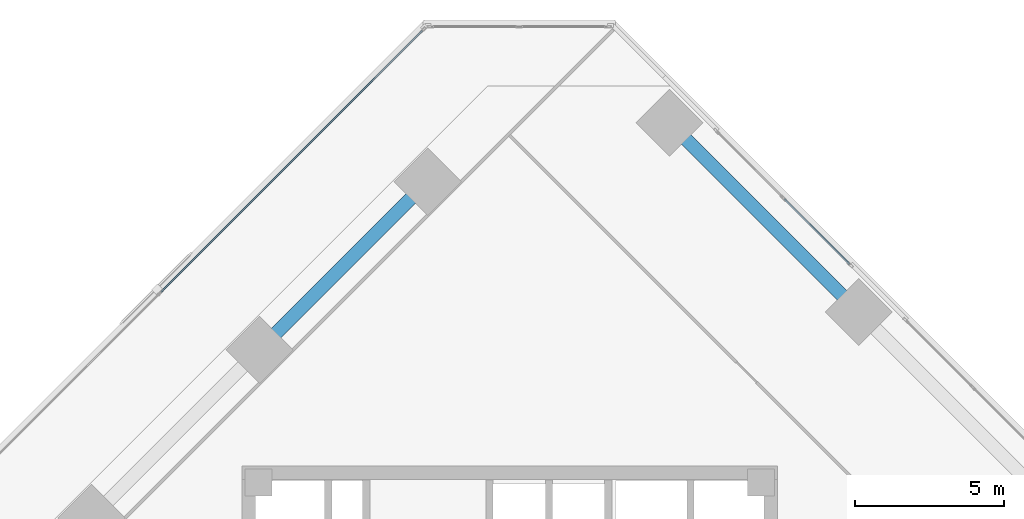
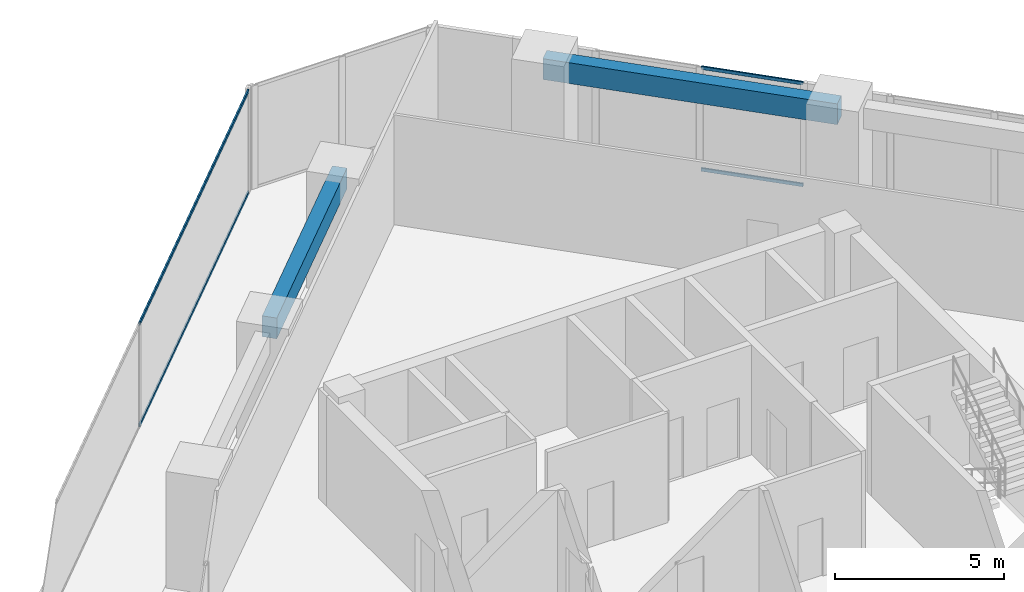
# One storey, part 9 of 17: 4 members, 2 beams, 2 elements without a shape of their own.
"""IFC4 building model written with IfcOpenShell, lengths in metres."""

from ifc_helpers import new_model, si_unit, direction, frame, origin, origin_2d, place, context, subcontext, project, spatial, rectangle, hollow_rectangle, extrude, source, transform, mapped, material, material_profile, profile_set, type_object, element, aggregate, save


model = new_model("IFC4")

# Units and contexts
model_context = context("Model", 3, precision=1e-05, world=origin(), true_north=direction((0.0, 1.0)))
body_context = subcontext(model_context, "Body", "Model", "MODEL_VIEW")
ifc_project = project(units=[si_unit("LENGTHUNIT", "METRE"), si_unit("AREAUNIT", "SQUARE_METRE"), si_unit("VOLUMEUNIT", "CUBIC_METRE"), si_unit("PLANEANGLEUNIT", "RADIAN"), si_unit("MASSUNIT", "GRAM", prefix="KILO")], contexts=[model_context])

# Site, building, storey
site_placement = place(None, origin())
site = spatial("IfcSite", under=ifc_project, at=site_placement, CompositionType="ELEMENT")
building_placement = place(site_placement, origin())
building = spatial("IfcBuilding", under=site, at=building_placement, Name="Torre Montelarca", CompositionType="ELEMENT")
storey_placement = place(building_placement, frame((0.0, 0.0, 250.0)))
storey = spatial("IfcBuildingStorey", under=building, at=storey_placement, Name="L56", CompositionType="ELEMENT", Elevation=250.0)

# Beams
ifc_material_1 = material(Name="Concrete C55/67", Category="concrete")
ifc_material_profile_1 = material_profile(ifc_material_1, rectangle(XDim=0.449951171875, YDim=0.75, at=origin_2d()), Name="RCB450X750", Category="concrete")
ifc_profile_set_1 = profile_set([ifc_material_profile_1], Name="Concrete C55/67")
beam_type = type_object("IfcBeamType", Name="BM-SP-RC750-EXT", PredefinedType="SPANDREL", material=ifc_profile_set_1)
shared_shape_1 = source(origin(), body_context, "Body", "SweptSolid", [
    extrude(rectangle(XDim=0.449951171875, YDim=0.75, at=origin_2d()), origin(), (0.0, 0.0, 1.0), 9.0),
])
beam_1_placement = place(storey_placement, frame((23.373779296875, 51.551513671875, 3.5849609375), z_axis=(0.707106781187, -0.707106781187, 0.0), x_axis=(0.707106781187, 0.707106781187, 0.0)))
element("IfcBeam", 1, at=beam_1_placement, inside=storey, type_object=beam_type, Name="L56 Grid Girder X 9.0-18.0 at Y=47.1", PredefinedType="SPANDREL", context=body_context, shape_type="MappedRepresentation", body=[
    mapped(shared_shape_1, transform((0.0, 0.0, 0.0), scale=1.0)),
])
shared_shape_2 = source(origin(), body_context, "Body", "SweptSolid", [
    extrude(rectangle(XDim=0.449951171875, YDim=0.75, at=origin_2d()), origin(), (0.0, 0.0, 1.0), 8.0),
])
beam_2_placement = place(storey_placement, frame((9.585205078125, 43.914794921875, 3.5849609375), z_axis=(0.707122039795, 0.707091522249, 0.0), x_axis=(-0.707091522249, 0.707122039795, 0.0)))
element("IfcBeam", 2, at=beam_2_placement, inside=storey, type_object=beam_type, Name="L56 Grid Girder Y 32.0-40.0 at X=4.7", PredefinedType="SPANDREL", context=body_context, shape_type="MappedRepresentation", body=[
    mapped(shared_shape_2, transform((0.0, 0.0, 0.0), scale=1.0)),
])

# Curtain wall, members
ifc_material_2 = material(Name="Insulated low-E laminated glass", Category="glass")
curtain_wall_type = type_object("IfcCurtainWallType", Name="CW-SYS-Z3", PredefinedType="USERDEFINED", material=ifc_material_2)
curtain_wall_1_placement = place(storey_placement, origin())
curtain_wall_1 = element("IfcCurtainWall", 3, at=curtain_wall_1_placement, inside=storey, type_object=curtain_wall_type, Name="L56 Curtain Wall Run CW-T3-L56-E10-B1", ObjectType="UNITISED GLAZING", PredefinedType="USERDEFINED")
ifc_material_3 = material(Name="Anodised aluminium AA 6063-T6", Category="aluminium")
ifc_material_profile_2 = material_profile(ifc_material_3, hollow_rectangle(XDim=0.054931640625, YDim=0.1201171875, WallThickness=0.00341796875, InnerFilletRadius=0.00341796875, OuterFilletRadius=0.007080078125, at=origin_2d()), Name="ALU55X120X3.5", Category="aluminium")
ifc_profile_set_2 = profile_set([ifc_material_profile_2], Name="Anodised aluminium AA 6063-T6")
member_type = type_object("IfcMemberType", Name="CWT-ALU120", PredefinedType="USERDEFINED", material=ifc_profile_set_2)
shared_shape_3 = source(origin(), body_context, "Body", "SweptSolid", [
    extrude(hollow_rectangle(XDim=0.054931640625, YDim=0.1201171875, WallThickness=0.00341796875, InnerFilletRadius=0.00341796875, OuterFilletRadius=0.007080078125, at=origin_2d()), origin(), (0.0, 0.0, 1.0), 12.421630859375),
])
member_1_placement = place(storey_placement, frame((15.0576171875, 54.64794921875, 0.027587890625), z_axis=(-0.707106781187, -0.707106781187, 0.0), x_axis=(0.707106781187, -0.707106781187, 0.0)))
member_1 = element("IfcMember", 4, at=member_1_placement, type_object=member_type, Name="CW transom 1.1", ObjectType="TRANSOM", PredefinedType="USERDEFINED", context=body_context, shape_type="MappedRepresentation", body=[
    mapped(shared_shape_3, transform((0.0, 0.0, 0.0), scale=1.0)),
])
member_2_placement = place(storey_placement, frame((15.0576171875, 54.64794921875, 3.6923828125), z_axis=(-0.707106781187, -0.707106781187, 0.0), x_axis=(0.707106781187, -0.707106781187, 0.0)))
member_2 = element("IfcMember", 5, at=member_2_placement, type_object=member_type, Name="CW transom 1.2", ObjectType="TRANSOM", PredefinedType="USERDEFINED", context=body_context, shape_type="MappedRepresentation", body=[
    mapped(shared_shape_3, transform((0.0, 0.0, 0.0), scale=1.0)),
])
aggregate(curtain_wall_1, [member_1, member_2])

curtain_wall_2_placement = place(storey_placement, origin())
curtain_wall_2 = element("IfcCurtainWall", 6, at=curtain_wall_2_placement, inside=storey, type_object=curtain_wall_type, Name="L56 Curtain Wall Run CW-T3-L56-E08-B3", ObjectType="UNITISED GLAZING", PredefinedType="USERDEFINED")
shared_shape_4 = source(origin(), body_context, "Body", "SweptSolid", [
    extrude(hollow_rectangle(XDim=0.054931640625, YDim=0.1201171875, WallThickness=0.00341796875, InnerFilletRadius=0.00341796875, OuterFilletRadius=0.007080078125, at=origin_2d()), origin(), (0.0, 0.0, 1.0), 3.107666015625),
])
member_3_placement = place(storey_placement, frame((29.43017578125, 46.796142578125, 0.027587890625), z_axis=(-0.707067498568, 0.707146061623, 0.0), x_axis=(-0.707146061623, -0.707067498568, 0.0)))
member_3 = element("IfcMember", 7, at=member_3_placement, type_object=member_type, Name="CW transom 1.1", ObjectType="TRANSOM", PredefinedType="USERDEFINED", context=body_context, shape_type="MappedRepresentation", body=[
    mapped(shared_shape_4, transform((0.0, 0.0, 0.0), scale=1.0)),
])
member_4_placement = place(storey_placement, frame((29.43017578125, 46.796142578125, 3.6923828125), z_axis=(-0.707067498568, 0.707146061623, 0.0), x_axis=(-0.707146061623, -0.707067498568, 0.0)))
member_4 = element("IfcMember", 8, at=member_4_placement, type_object=member_type, Name="CW transom 1.2", ObjectType="TRANSOM", PredefinedType="USERDEFINED", context=body_context, shape_type="MappedRepresentation", body=[
    mapped(shared_shape_4, transform((0.0, 0.0, 0.0), scale=1.0)),
])
aggregate(curtain_wall_2, [member_3, member_4])

save(model, "model.ifc")
